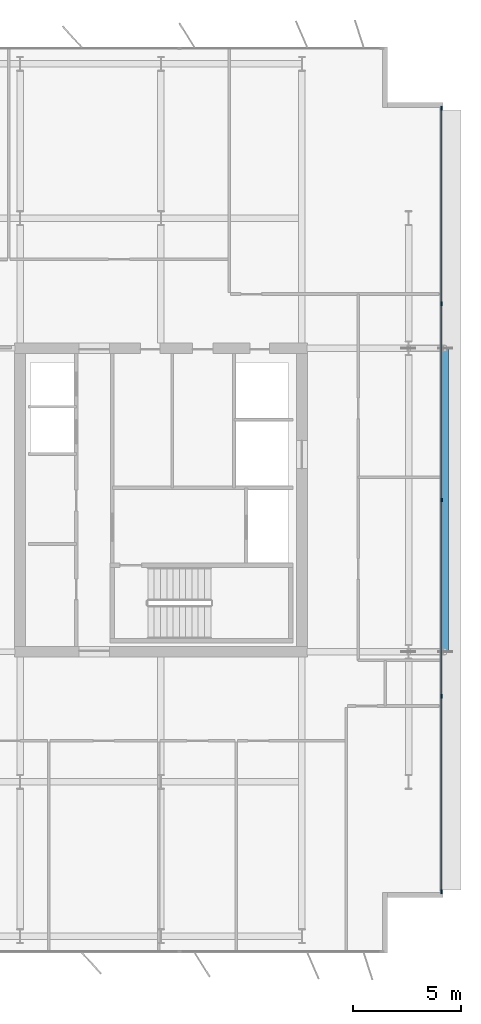
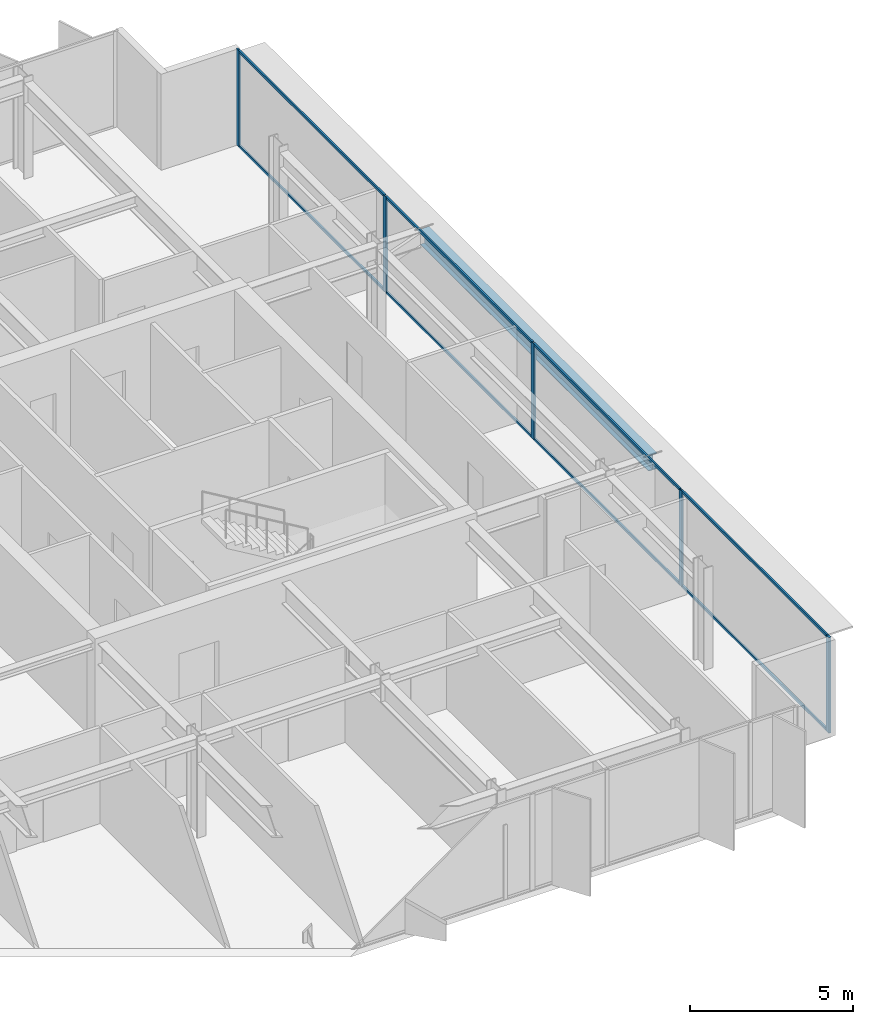
# One storey, part 10 of 20: 13 members, 1 beam, 1 element without a shape of its own.
"""IFC4 building model written with IfcOpenShell, lengths in metres."""

from ifc_helpers import new_model, si_unit, direction, frame, origin, origin_2d, place, context, subcontext, project, spatial, rectangle, i_section, extrude, material, layer, layer_set, material_profile, profile_set, type_object, element, aggregate, save


model = new_model("IFC4")

# Units and contexts
model_context = context("Model", 3, precision=1e-05, world=origin(), true_north=direction((0.0, 1.0)))
body_context = subcontext(model_context, "Body", "Model", "MODEL_VIEW")
ifc_project = project(units=[si_unit("LENGTHUNIT", "METRE"), si_unit("AREAUNIT", "SQUARE_METRE"), si_unit("VOLUMEUNIT", "CUBIC_METRE"), si_unit("PLANEANGLEUNIT", "RADIAN"), si_unit("MASSUNIT", "GRAM", prefix="KILO")], contexts=[model_context])

# Site, building, storey
site_placement = place(None, origin())
site = spatial("IfcSite", under=ifc_project, at=site_placement, CompositionType="ELEMENT")
building_placement = place(site_placement, origin())
building = spatial("IfcBuilding", under=site, at=building_placement, Name="Putna Gate Headquarters", CompositionType="ELEMENT")
storey_placement = place(building_placement, frame((0.0, 0.0, 270.800048828125)))
storey = spatial("IfcBuildingStorey", under=building, at=storey_placement, Name="L68", CompositionType="ELEMENT", Elevation=270.800048828125)

# Beam
ifc_material_1 = material(Name="Steel S355J2", Category="steel")
ifc_material_profile_1 = material_profile(ifc_material_1, i_section(OverallWidth=0.300048828125, OverallDepth=0.590087890625, WebThickness=0.012939453125, FlangeThickness=0.02490234375, at=origin_2d()), Name="Steel S355J2")
ifc_profile_set_1 = profile_set([ifc_material_profile_1], Name="Steel S355J2")
beam_type = type_object("IfcBeamType", Name="BM-SPAN-Z4-HEA600", PredefinedType="SPANDREL", material=ifc_profile_set_1)
beam_placement = place(storey_placement, frame((71.614990234375, 19.02001953125, 3.29296875), z_axis=(0.0, 1.0, 0.0), x_axis=(-1.0, 0.0, 0.0)))
element("IfcBeam", 1, at=beam_placement, inside=storey, type_object=beam_type, Name="L68 East Sail Edge Spandrel", PredefinedType="SPANDREL", context=body_context, shape_type="SweptSolid", body=[
    extrude(i_section(OverallWidth=0.300048828125, OverallDepth=0.590087890625, WebThickness=0.012939453125, FlangeThickness=0.02490234375, at=origin_2d()), origin(), (0.0, 0.0, 1.0), 13.9599609375),
])

# Curtain wall, members
ifc_material_2 = material(Name="Anodised bronze aluminium curtain wall", Category="aluminium")
ifc_layer = layer(ifc_material_2, 0.179931640625)
ifc_layer_set = layer_set([ifc_layer], Name="Anodised bronze aluminium curtain wall")
curtain_wall_type = type_object("IfcCurtainWallType", Name="CW-SYS-Z5", PredefinedType="USERDEFINED", material=ifc_layer_set)
curtain_wall_placement = place(storey_placement, origin())
curtain_wall = element("IfcCurtainWall", 2, at=curtain_wall_placement, inside=storey, type_object=curtain_wall_type, Name="L68 East Curtain Wall", ObjectType="STICK CURTAIN WALL", PredefinedType="USERDEFINED")
ifc_material_3 = material(Name="Anodised bronze aluminium EN AW-6060", Category="aluminium")
ifc_material_profile_2 = material_profile(ifc_material_3, rectangle(XDim=0.070068359375, YDim=0.179931640625, at=origin_2d()), Name="Anodised bronze aluminium EN AW-6060")
ifc_profile_set_2 = profile_set([ifc_material_profile_2], Name="Anodised bronze aluminium EN AW-6060")
member_type_1 = type_object("IfcMemberType", Name="MULL-CWM-5", PredefinedType="MULLION", material=ifc_profile_set_2)
member_1_placement = place(storey_placement, frame((71.4326171875, 7.93505859375, 0.0), z_axis=(0.0, 0.0, 1.0), x_axis=(-1.0, 0.0, 0.0)))
member_1 = element("IfcMember", 3, at=member_1_placement, type_object=member_type_1, Name="CWS-5 mullion 1", PredefinedType="MULLION", context=body_context, shape_type="SweptSolid", body=[
    extrude(rectangle(XDim=0.070068359375, YDim=0.179931640625, at=origin_2d()), origin(), (0.0, 0.0, 1.0), 3.587890625),
])
member_2_placement = place(storey_placement, frame((71.4326171875, 16.949951171875, 0.0), z_axis=(0.0, 0.0, 1.0), x_axis=(-1.0, 0.0, 0.0)))
member_2 = element("IfcMember", 4, at=member_2_placement, type_object=member_type_1, Name="CWS-5 mullion 2", PredefinedType="MULLION", context=body_context, shape_type="SweptSolid", body=[
    extrude(rectangle(XDim=0.070068359375, YDim=0.179931640625, at=origin_2d()), origin(), (0.0, 0.0, 1.0), 3.587890625),
])
member_3_placement = place(storey_placement, frame((71.4326171875, 26.0, 0.0), z_axis=(0.0, 0.0, 1.0), x_axis=(-1.0, 0.0, 0.0)))
member_3 = element("IfcMember", 5, at=member_3_placement, type_object=member_type_1, Name="CWS-5 mullion 3", PredefinedType="MULLION", context=body_context, shape_type="SweptSolid", body=[
    extrude(rectangle(XDim=0.070068359375, YDim=0.179931640625, at=origin_2d()), origin(), (0.0, 0.0, 1.0), 3.587890625),
])
member_4_placement = place(storey_placement, frame((71.4326171875, 35.050048828125, 0.0), z_axis=(0.0, 0.0, 1.0), x_axis=(-1.0, 0.0, 0.0)))
member_4 = element("IfcMember", 6, at=member_4_placement, type_object=member_type_1, Name="CWS-5 mullion 4", PredefinedType="MULLION", context=body_context, shape_type="SweptSolid", body=[
    extrude(rectangle(XDim=0.070068359375, YDim=0.179931640625, at=origin_2d()), origin(), (0.0, 0.0, 1.0), 3.587890625),
])
member_5_placement = place(storey_placement, frame((71.4326171875, 44.06494140625, 0.0), z_axis=(0.0, 0.0, 1.0), x_axis=(-1.0, 0.0, 0.0)))
member_5 = element("IfcMember", 7, at=member_5_placement, type_object=member_type_1, Name="CWS-5 mullion 5", PredefinedType="MULLION", context=body_context, shape_type="SweptSolid", body=[
    extrude(rectangle(XDim=0.070068359375, YDim=0.179931640625, at=origin_2d()), origin(), (0.0, 0.0, 1.0), 3.587890625),
])
ifc_material_profile_3 = material_profile(ifc_material_3, rectangle(XDim=0.06005859375, YDim=0.10009765625, at=origin_2d()), Name="Anodised bronze aluminium EN AW-6060")
ifc_profile_set_3 = profile_set([ifc_material_profile_3], Name="Anodised bronze aluminium EN AW-6060")
member_type_2 = type_object("IfcMemberType", Name="TRAN-CWT-5", PredefinedType="USERDEFINED", material=ifc_profile_set_3)
member_6_placement = place(storey_placement, frame((71.4326171875, 7.969970703125, 0.030029296875), z_axis=(0.0, 1.0, 0.0), x_axis=(-1.0, 0.0, 0.0)))
member_6 = element("IfcMember", 8, at=member_6_placement, type_object=member_type_2, Name="CWS-5 transom 1.1", ObjectType="TRANSOM", PredefinedType="USERDEFINED", context=body_context, shape_type="SweptSolid", body=[
    extrude(rectangle(XDim=0.06005859375, YDim=0.10009765625, at=origin_2d()), origin(), (0.0, 0.0, 1.0), 8.945068359375),
])
member_7_placement = place(storey_placement, frame((71.4326171875, 7.969970703125, 3.557861328125), z_axis=(0.0, 1.0, 0.0), x_axis=(-1.0, 0.0, 0.0)))
member_7 = element("IfcMember", 9, at=member_7_placement, type_object=member_type_2, Name="CWS-5 transom 1.2", ObjectType="TRANSOM", PredefinedType="USERDEFINED", context=body_context, shape_type="SweptSolid", body=[
    extrude(rectangle(XDim=0.06005859375, YDim=0.10009765625, at=origin_2d()), origin(), (0.0, 0.0, 1.0), 8.945068359375),
])
member_8_placement = place(storey_placement, frame((71.4326171875, 16.985107421875, 0.030029296875), z_axis=(0.0, 1.0, 0.0), x_axis=(-1.0, 0.0, 0.0)))
member_8 = element("IfcMember", 10, at=member_8_placement, type_object=member_type_2, Name="CWS-5 transom 2.1", ObjectType="TRANSOM", PredefinedType="USERDEFINED", context=body_context, shape_type="SweptSolid", body=[
    extrude(rectangle(XDim=0.06005859375, YDim=0.10009765625, at=origin_2d()), origin(), (0.0, 0.0, 1.0), 8.97998046875),
])
member_9_placement = place(storey_placement, frame((71.4326171875, 16.985107421875, 3.557861328125), z_axis=(0.0, 1.0, 0.0), x_axis=(-1.0, 0.0, 0.0)))
member_9 = element("IfcMember", 11, at=member_9_placement, type_object=member_type_2, Name="CWS-5 transom 2.2", ObjectType="TRANSOM", PredefinedType="USERDEFINED", context=body_context, shape_type="SweptSolid", body=[
    extrude(rectangle(XDim=0.06005859375, YDim=0.10009765625, at=origin_2d()), origin(), (0.0, 0.0, 1.0), 8.97998046875),
])
member_10_placement = place(storey_placement, frame((71.4326171875, 26.034912109375, 0.030029296875), z_axis=(0.0, 1.0, 0.0), x_axis=(-1.0, 0.0, 0.0)))
member_10 = element("IfcMember", 12, at=member_10_placement, type_object=member_type_2, Name="CWS-5 transom 3.1", ObjectType="TRANSOM", PredefinedType="USERDEFINED", context=body_context, shape_type="SweptSolid", body=[
    extrude(rectangle(XDim=0.06005859375, YDim=0.10009765625, at=origin_2d()), origin(), (0.0, 0.0, 1.0), 8.97998046875),
])
member_11_placement = place(storey_placement, frame((71.4326171875, 26.034912109375, 3.557861328125), z_axis=(0.0, 1.0, 0.0), x_axis=(-1.0, 0.0, 0.0)))
member_11 = element("IfcMember", 13, at=member_11_placement, type_object=member_type_2, Name="CWS-5 transom 3.2", ObjectType="TRANSOM", PredefinedType="USERDEFINED", context=body_context, shape_type="SweptSolid", body=[
    extrude(rectangle(XDim=0.06005859375, YDim=0.10009765625, at=origin_2d()), origin(), (0.0, 0.0, 1.0), 8.97998046875),
])
member_12_placement = place(storey_placement, frame((71.4326171875, 35.0849609375, 0.030029296875), z_axis=(0.0, 1.0, 0.0), x_axis=(-1.0, 0.0, 0.0)))
member_12 = element("IfcMember", 14, at=member_12_placement, type_object=member_type_2, Name="CWS-5 transom 4.1", ObjectType="TRANSOM", PredefinedType="USERDEFINED", context=body_context, shape_type="SweptSolid", body=[
    extrude(rectangle(XDim=0.06005859375, YDim=0.10009765625, at=origin_2d()), origin(), (0.0, 0.0, 1.0), 8.945068359375),
])
member_13_placement = place(storey_placement, frame((71.4326171875, 35.0849609375, 3.557861328125), z_axis=(0.0, 1.0, 0.0), x_axis=(-1.0, 0.0, 0.0)))
member_13 = element("IfcMember", 15, at=member_13_placement, type_object=member_type_2, Name="CWS-5 transom 4.2", ObjectType="TRANSOM", PredefinedType="USERDEFINED", context=body_context, shape_type="SweptSolid", body=[
    extrude(rectangle(XDim=0.06005859375, YDim=0.10009765625, at=origin_2d()), origin(), (0.0, 0.0, 1.0), 8.945068359375),
])
aggregate(curtain_wall, [member_1, member_2, member_3, member_4, member_5, member_6, member_7, member_8, member_9, member_10, member_11, member_12, member_13])

save(model, "model.ifc")
